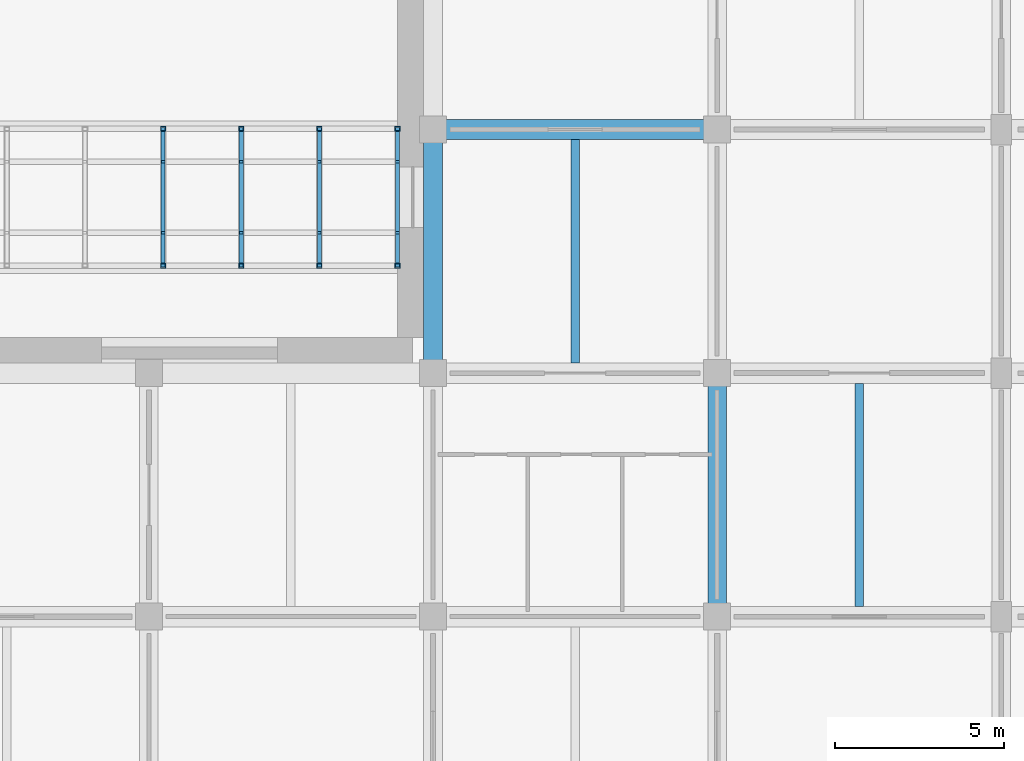
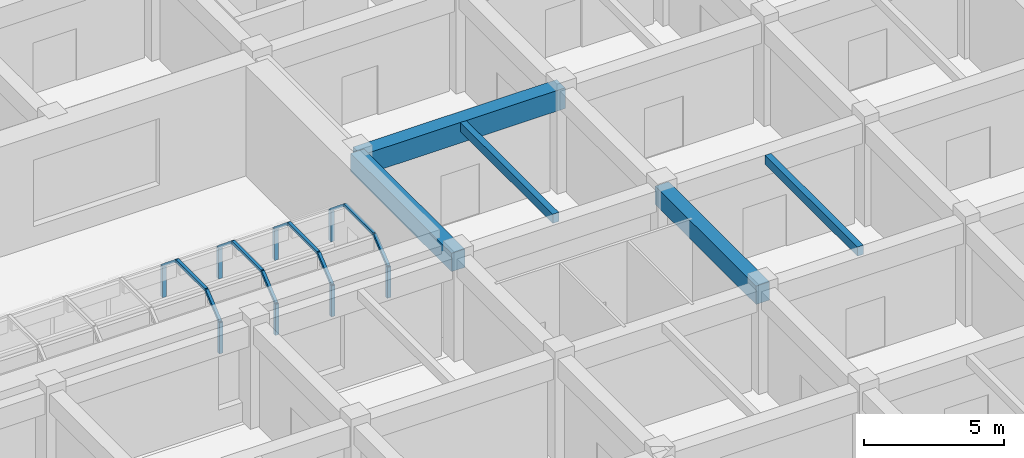
# One storey, part 10 of 32: 20 members, 5 beams.
"""IFC4 building model written with IfcOpenShell, lengths in metres."""

from ifc_helpers import new_model, si_unit, derived_unit, direction, frame, origin, origin_2d, place, context, subcontext, project, spatial, rectangle, hollow_rectangle, extrude, material, material_profile, profile_set, type_object, element, save


model = new_model("IFC4")

# Units and contexts
model_context = context("Model", 3, precision=1e-05, world=origin(), true_north=direction((0.0, 1.0)))
body_context = subcontext(model_context, "Body", "Model", "MODEL_VIEW")
ifc_project = project(units=[si_unit("LENGTHUNIT", "METRE"), si_unit("AREAUNIT", "SQUARE_METRE"), si_unit("VOLUMEUNIT", "CUBIC_METRE"), si_unit("PLANEANGLEUNIT", "RADIAN"), si_unit("MASSUNIT", "GRAM", prefix="KILO"), derived_unit("THERMALTRANSMITTANCEUNIT", [(si_unit("MASSUNIT", "GRAM", prefix="KILO"), 1), (si_unit("TIMEUNIT", "SECOND"), -3), (si_unit("THERMODYNAMICTEMPERATUREUNIT", "KELVIN"), -1)])], contexts=[model_context])

# Site, building, storey
site_placement = place(None, origin())
site = spatial("IfcSite", under=ifc_project, at=site_placement, CompositionType="ELEMENT")
building_placement = place(site_placement, origin())
building = spatial("IfcBuilding", under=site, at=building_placement, Name="Veldstrom Oceanarium and Marine Research Institute", CompositionType="ELEMENT")
storey_placement = place(building_placement, frame((0.0, 0.0, -4.800048828125)))
storey = spatial("IfcBuildingStorey", under=building, at=storey_placement, Name="B01", CompositionType="ELEMENT", Elevation=-4.800048828125)

# Beams
ifc_material_1 = material(Name="Concrete C40/50", Category="concrete")
ifc_material_profile_1 = material_profile(ifc_material_1, rectangle(XDim=0.60009765625, YDim=0.89990234375, at=origin_2d()), Name="RC-BM-600x900")
ifc_profile_set_1 = profile_set([ifc_material_profile_1], Name="Concrete C40/50")
beam_type_1 = type_object("IfcBeamType", Name="STR-BM-B01", PredefinedType="BEAM", material=ifc_profile_set_1)
beam_1_placement = place(storey_placement, frame((42.0, 28.800048828125, 3.9951171875), z_axis=(1.0, 0.0, 0.0), x_axis=(0.0, 1.0, 0.0)))
element("IfcBeam", 1, at=beam_1_placement, inside=storey, type_object=beam_type_1, Name="Primary Beam B01 B01-0406", PredefinedType="BEAM", context=body_context, shape_type="SweptSolid", body=[
    extrude(rectangle(XDim=0.60009765625, YDim=0.89990234375, at=origin_2d()), origin(), (0.0, 0.0, 1.0), 8.39990234375),
])
ifc_material_2 = material(Name="Concrete C40/50", Category="concrete")
ifc_material_profile_2 = material_profile(ifc_material_2, rectangle(XDim=0.550048828125, YDim=0.800048828125, at=origin_2d()), Name="RC-BM-550x800")
ifc_profile_set_2 = profile_set([ifc_material_profile_2], Name="Concrete C40/50")
beam_type_2 = type_object("IfcBeamType", Name="STR-BM-B02", PredefinedType="BEAM", material=ifc_profile_set_2)
beam_2_placement = place(storey_placement, frame((42.0, 21.60009765625, 4.045166015625), z_axis=(0.0, 1.0, 0.0), x_axis=(-1.0, 0.0, 0.0)))
element("IfcBeam", 2, at=beam_2_placement, inside=storey, type_object=beam_type_2, Name="Primary Beam B02 B01-0540", PredefinedType="BEAM", context=body_context, shape_type="SweptSolid", body=[
    extrude(rectangle(XDim=0.550048828125, YDim=0.800048828125, at=origin_2d()), origin(), (0.0, 0.0, 1.0), 7.199951171875),
])
beam_3_placement = place(storey_placement, frame((50.39990234375, 14.39990234375, 4.045166015625), z_axis=(0.0, 1.0, 0.0), x_axis=(-1.0, 0.0, 0.0)))
element("IfcBeam", 3, at=beam_3_placement, inside=storey, type_object=beam_type_2, Name="Primary Beam B02 B01-0549", PredefinedType="BEAM", context=body_context, shape_type="SweptSolid", body=[
    extrude(rectangle(XDim=0.550048828125, YDim=0.800048828125, at=origin_2d()), origin(), (0.0, 0.0, 1.0), 7.2001953125),
])
ifc_material_3 = material(Name="Concrete C40/50", Category="concrete")
ifc_material_profile_3 = material_profile(ifc_material_3, rectangle(XDim=0.25, YDim=0.39990234375, at=origin_2d()), Name="RC-JST-250x400")
ifc_profile_set_3 = profile_set([ifc_material_profile_3], Name="Concrete C40/50")
beam_type_3 = type_object("IfcBeamType", Name="STR-JST-J02", PredefinedType="JOIST", material=ifc_profile_set_3)
for number, where, z_axis, x_axis, name in (
    (4, (46.199951171875, 21.89990234375, 4.2451171875), (0.0, 1.0, 0.0), (-1.0, 0.0, 0.0), "Secondary Joist J02 B01-0666"),
    (5, (54.60009765625, 14.699951171875, 4.2451171875), (0.0, 1.0, 0.0), (-1.0, 0.0, 0.0), "Secondary Joist J02 B01-0670"),
):
    element("IfcBeam", number, at=place(storey_placement, frame(where, z_axis=z_axis, x_axis=x_axis)), inside=storey, type_object=beam_type_3, Name=name, PredefinedType="JOIST", context=body_context, shape_type="SweptSolid", body=[
        extrude(rectangle(XDim=0.25, YDim=0.39990234375, at=origin_2d()), origin(), (0.0, 0.0, 1.0), 6.60009765625),
    ])

# Members
ifc_material_4 = material(Name="Steel S355JR", Category="steel")
ifc_material_profile_4 = material_profile(ifc_material_4, hollow_rectangle(XDim=0.14990234375, YDim=0.14990234375, WallThickness=0.010009765625, at=origin_2d()), Name="SHS 150x150x10")
ifc_profile_set_4 = profile_set([ifc_material_profile_4], Name="Steel S355JR")
member_type_1 = type_object("IfcMemberType", Name="STR-MEM-PS1", PredefinedType="POST", material=ifc_profile_set_4)
for number, where, z_axis, x_axis, name in (
    (6, (34.02001953125, 24.77490234375, 0.900146484375), (0.0, 0.0, 1.0), (1.0, 0.0, 0.0), "Acrylic Tunnel Arch Rib 08-1"),
    (7, (34.02001953125, 28.824951171875, 2.25), (0.0, 0.0, -1.0), (1.0, 0.0, 0.0), "Acrylic Tunnel Arch Rib 08-5"),
    (8, (36.330078125, 24.77490234375, 0.900146484375), (0.0, 0.0, 1.0), (1.0, 0.0, 0.0), "Acrylic Tunnel Arch Rib 09-1"),
    (9, (36.330078125, 28.824951171875, 2.25), (0.0, 0.0, -1.0), (1.0, 0.0, 0.0), "Acrylic Tunnel Arch Rib 09-5"),
    (10, (38.639892578125, 24.77490234375, 0.900146484375), (0.0, 0.0, 1.0), (1.0, 0.0, 0.0), "Acrylic Tunnel Arch Rib 10-1"),
    (11, (38.639892578125, 28.824951171875, 2.25), (0.0, 0.0, -1.0), (1.0, 0.0, 0.0), "Acrylic Tunnel Arch Rib 10-5"),
    (12, (40.949951171875, 24.77490234375, 0.900146484375), (0.0, 0.0, 1.0), (1.0, 0.0, 0.0), "Acrylic Tunnel Arch Rib 11-1"),
    (13, (40.949951171875, 28.824951171875, 2.25), (0.0, 0.0, -1.0), (1.0, 0.0, 0.0), "Acrylic Tunnel Arch Rib 11-5"),
):
    element("IfcMember", number, at=place(storey_placement, frame(where, z_axis=z_axis, x_axis=x_axis)), inside=storey, type_object=member_type_1, Name=name, PredefinedType="POST", context=body_context, shape_type="SweptSolid", body=[
        extrude(hollow_rectangle(XDim=0.14990234375, YDim=0.14990234375, WallThickness=0.010009765625, at=origin_2d()), origin(), (0.0, 0.0, 1.0), 1.349853515625),
    ])
ifc_material_5 = material(Name="Steel S355JR", Category="steel")
ifc_material_profile_5 = material_profile(ifc_material_5, hollow_rectangle(XDim=0.1201171875, YDim=0.1201171875, WallThickness=0.008056640625, at=origin_2d()), Name="SHS 120x120x8")
ifc_profile_set_5 = profile_set([ifc_material_profile_5], Name="Steel S355JR")
member_type_2 = type_object("IfcMemberType", Name="STR-MEM-RF1", PredefinedType="RAFTER", material=ifc_profile_set_5)
member_1_placement = place(storey_placement, frame((34.02001953125, 24.77490234375, 2.25), z_axis=(0.0, 0.773085539251, 0.634301780702), x_axis=(-1.0, 0.0, 0.0)))
element("IfcMember", 14, at=member_1_placement, inside=storey, type_object=member_type_2, Name="Acrylic Tunnel Arch Rib 08-2", PredefinedType="RAFTER", context=body_context, shape_type="SweptSolid", body=[
    extrude(hollow_rectangle(XDim=0.1201171875, YDim=0.1201171875, WallThickness=0.008056640625, at=origin_2d()), origin(), (0.0, 0.0, 1.0), 1.26123046875),
])
member_2_placement = place(storey_placement, frame((34.02001953125, 25.75, 3.050048828125), z_axis=(0.0, 1.0, 0.0), x_axis=(-1.0, 0.0, 0.0)))
element("IfcMember", 15, at=member_2_placement, inside=storey, type_object=member_type_2, Name="Acrylic Tunnel Arch Rib 08-3", PredefinedType="RAFTER", context=body_context, shape_type="SweptSolid", body=[
    extrude(hollow_rectangle(XDim=0.1201171875, YDim=0.1201171875, WallThickness=0.008056640625, at=origin_2d()), origin(), (0.0, 0.0, 1.0), 2.10009765625),
])
for number, where, z_axis, x_axis, name in (
    (16, (34.02001953125, 27.85009765625, 3.050048828125), (0.0, 0.773007644384, -0.634396706899), (-1.0, 0.0, 0.0), "Acrylic Tunnel Arch Rib 08-4"),
    (17, (36.330078125, 24.77490234375, 2.25), (0.0, 0.773085539251, 0.634301780702), (-1.0, 0.0, 0.0), "Acrylic Tunnel Arch Rib 09-2"),
):
    element("IfcMember", number, at=place(storey_placement, frame(where, z_axis=z_axis, x_axis=x_axis)), inside=storey, type_object=member_type_2, Name=name, PredefinedType="RAFTER", context=body_context, shape_type="SweptSolid", body=[
        extrude(hollow_rectangle(XDim=0.1201171875, YDim=0.1201171875, WallThickness=0.008056640625, at=origin_2d()), origin(), (0.0, 0.0, 1.0), 1.26123046875),
    ])
member_3_placement = place(storey_placement, frame((36.330078125, 25.75, 3.050048828125), z_axis=(0.0, 1.0, 0.0), x_axis=(-1.0, 0.0, 0.0)))
element("IfcMember", 18, at=member_3_placement, inside=storey, type_object=member_type_2, Name="Acrylic Tunnel Arch Rib 09-3", PredefinedType="RAFTER", context=body_context, shape_type="SweptSolid", body=[
    extrude(hollow_rectangle(XDim=0.1201171875, YDim=0.1201171875, WallThickness=0.008056640625, at=origin_2d()), origin(), (0.0, 0.0, 1.0), 2.10009765625),
])
for number, where, z_axis, x_axis, name in (
    (19, (36.330078125, 27.85009765625, 3.050048828125), (0.0, 0.773007644384, -0.634396706899), (-1.0, 0.0, 0.0), "Acrylic Tunnel Arch Rib 09-4"),
    (20, (38.639892578125, 24.77490234375, 2.25), (0.0, 0.773085539251, 0.634301780702), (-1.0, 0.0, 0.0), "Acrylic Tunnel Arch Rib 10-2"),
):
    element("IfcMember", number, at=place(storey_placement, frame(where, z_axis=z_axis, x_axis=x_axis)), inside=storey, type_object=member_type_2, Name=name, PredefinedType="RAFTER", context=body_context, shape_type="SweptSolid", body=[
        extrude(hollow_rectangle(XDim=0.1201171875, YDim=0.1201171875, WallThickness=0.008056640625, at=origin_2d()), origin(), (0.0, 0.0, 1.0), 1.26123046875),
    ])
member_4_placement = place(storey_placement, frame((38.639892578125, 25.75, 3.050048828125), z_axis=(0.0, 1.0, 0.0), x_axis=(-1.0, 0.0, 0.0)))
element("IfcMember", 21, at=member_4_placement, inside=storey, type_object=member_type_2, Name="Acrylic Tunnel Arch Rib 10-3", PredefinedType="RAFTER", context=body_context, shape_type="SweptSolid", body=[
    extrude(hollow_rectangle(XDim=0.1201171875, YDim=0.1201171875, WallThickness=0.008056640625, at=origin_2d()), origin(), (0.0, 0.0, 1.0), 2.10009765625),
])
for number, where, z_axis, x_axis, name in (
    (22, (38.639892578125, 27.85009765625, 3.050048828125), (0.0, 0.773007644384, -0.634396706899), (-1.0, 0.0, 0.0), "Acrylic Tunnel Arch Rib 10-4"),
    (23, (40.949951171875, 24.77490234375, 2.25), (0.0, 0.773085539251, 0.634301780702), (-1.0, 0.0, 0.0), "Acrylic Tunnel Arch Rib 11-2"),
):
    element("IfcMember", number, at=place(storey_placement, frame(where, z_axis=z_axis, x_axis=x_axis)), inside=storey, type_object=member_type_2, Name=name, PredefinedType="RAFTER", context=body_context, shape_type="SweptSolid", body=[
        extrude(hollow_rectangle(XDim=0.1201171875, YDim=0.1201171875, WallThickness=0.008056640625, at=origin_2d()), origin(), (0.0, 0.0, 1.0), 1.26123046875),
    ])
member_5_placement = place(storey_placement, frame((40.949951171875, 25.75, 3.050048828125), z_axis=(0.0, 1.0, 0.0), x_axis=(-1.0, 0.0, 0.0)))
element("IfcMember", 24, at=member_5_placement, inside=storey, type_object=member_type_2, Name="Acrylic Tunnel Arch Rib 11-3", PredefinedType="RAFTER", context=body_context, shape_type="SweptSolid", body=[
    extrude(hollow_rectangle(XDim=0.1201171875, YDim=0.1201171875, WallThickness=0.008056640625, at=origin_2d()), origin(), (0.0, 0.0, 1.0), 2.10009765625),
])
member_6_placement = place(storey_placement, frame((40.949951171875, 27.85009765625, 3.050048828125), z_axis=(0.0, 0.773007644384, -0.634396706899), x_axis=(-1.0, 0.0, 0.0)))
element("IfcMember", 25, at=member_6_placement, inside=storey, type_object=member_type_2, Name="Acrylic Tunnel Arch Rib 11-4", PredefinedType="RAFTER", context=body_context, shape_type="SweptSolid", body=[
    extrude(hollow_rectangle(XDim=0.1201171875, YDim=0.1201171875, WallThickness=0.008056640625, at=origin_2d()), origin(), (0.0, 0.0, 1.0), 1.26123046875),
])

save(model, "model.ifc")
